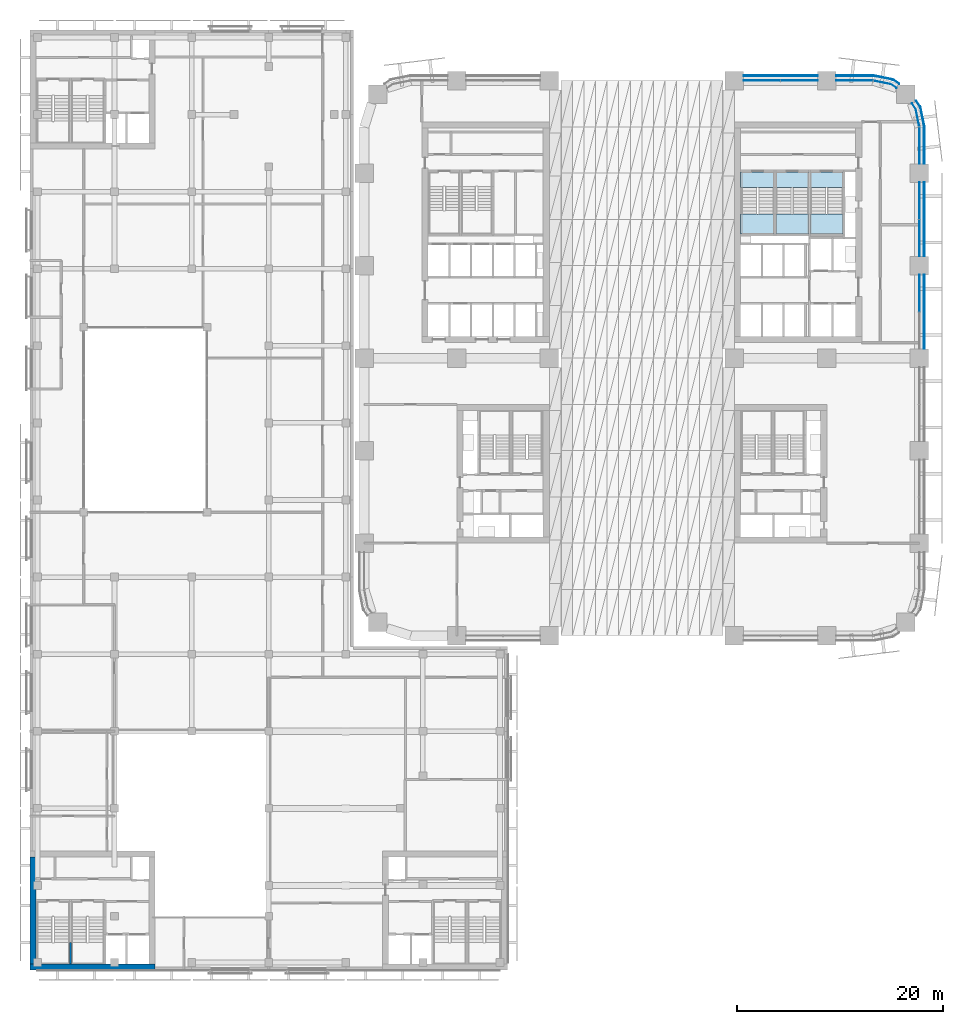
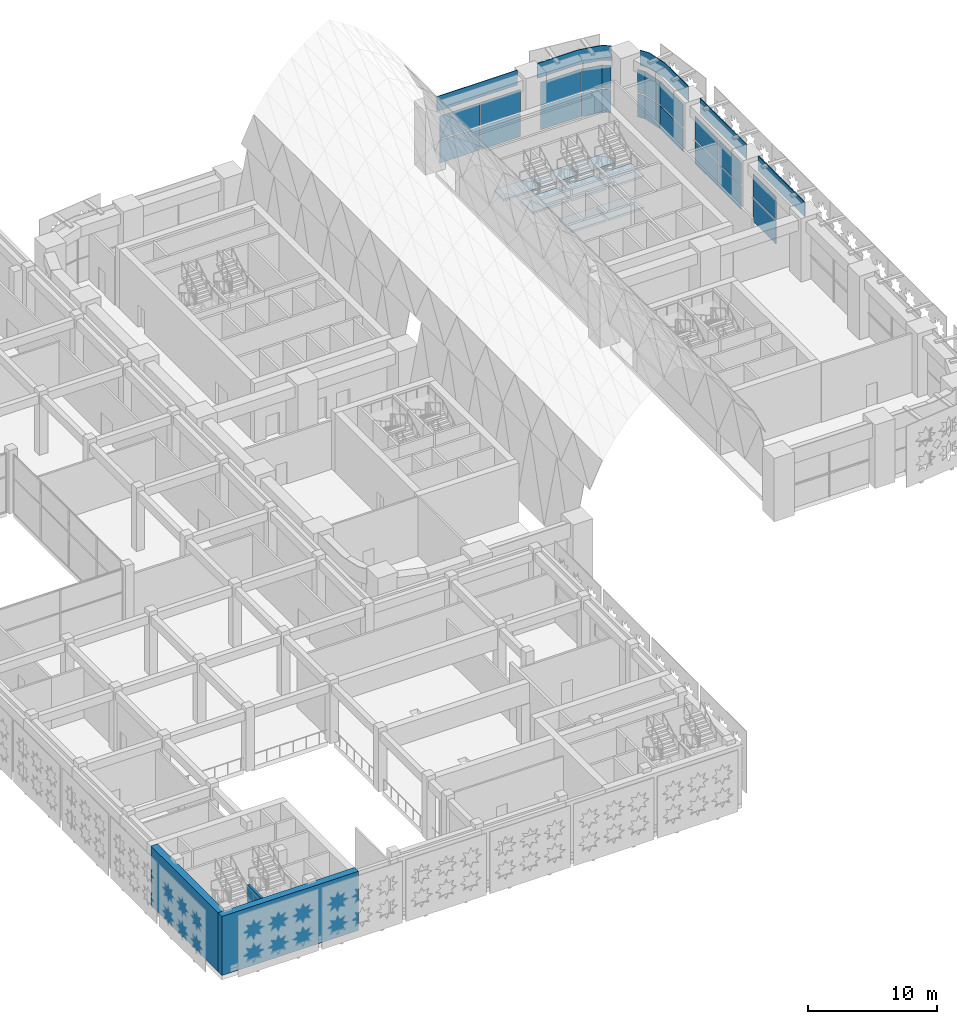
# One storey, part 13 of 46: 23 plates, 8 slabs, 3 walls, 8 elements without a shape of their own.
"""IFC4 building model written with IfcOpenShell, lengths in metres."""

import ifcopenshell
import ifcopenshell.guid

model = None  # the IFC model being written
_history = None  # IfcOwnerHistory: only IFC2X3 demands one
_inside = {}  # id of a spatial element -> (the spatial element, [elements in it])
_under = {}  # id of a project, library or spatial element -> (it, [spatial elements below it])
_declared = {}  # id of a project -> (the project, [libraries it declares])
_typed = {}  # id of a type object -> (the type object, [elements of that type])
_made_of = {}  # id of a material, layer set ... -> (it, [elements and type objects made of it])


def new_model(schema):
    """Start an empty IFC model of exactly this schema.

    Asked for "IFC4X3", IfcOpenShell would pick the latest addendum, in which some entities
    have other attributes; the version numbers below select the first issue.
    IFC2X3 requires an IfcOwnerHistory on every rooted entity: one is made here for all.
    """
    global model, _history
    if schema == "IFC4X3":
        model = ifcopenshell.file(schema_version=(4, 3, 0, 0))
    else:
        model = ifcopenshell.file(schema=schema)
    _inside.clear()
    _under.clear()
    _declared.clear()
    _typed.clear()
    _made_of.clear()
    _history = None
    if model.schema == "IFC2X3":
        org = make("IfcOrganization", Name="unknown")
        user = make(
            "IfcPersonAndOrganization",
            ThePerson=make("IfcPerson", FamilyName="unknown"),
            TheOrganization=org,
        )
        app = make(
            "IfcApplication",
            ApplicationDeveloper=org,
            Version="unknown",
            ApplicationFullName="unknown",
            ApplicationIdentifier="unknown",
        )
        _history = make(
            "IfcOwnerHistory",
            OwningUser=user,
            OwningApplication=app,
            ChangeAction="ADDED",
            CreationDate=0,
        )
    return model


def make(cls, **values):
    """One entity of the class cls with the attributes given. An attribute that is None is left unset."""
    return model.create_entity(
        cls, **{name: value for name, value in values.items() if value is not None}
    )


def rooted(cls, **values):
    """An entity with a GlobalId (a new one), such as an element, a storey or a relation."""
    return make(cls, GlobalId=ifcopenshell.guid.new(), OwnerHistory=_history, **values)


def si_unit(unit_type, name, prefix=None):
    """IfcSIUnit, for example si_unit("LENGTHUNIT", "METRE", prefix="MILLI")."""
    return make("IfcSIUnit", UnitType=unit_type, Prefix=prefix, Name=name)


def assignment(units):
    """IfcUnitAssignment: the units of a project."""
    return None if units is None else make("IfcUnitAssignment", Units=units)


def point(xyz):
    """IfcCartesianPoint."""
    return None if xyz is None else make("IfcCartesianPoint", Coordinates=xyz)


def direction(xyz):
    """IfcDirection."""
    return None if xyz is None else make("IfcDirection", DirectionRatios=xyz)


def frame(location, z_axis=None, x_axis=None):
    """IfcAxis2Placement3D, a coordinate frame: its origin and axes. An axis left out is left unset."""
    return make(
        "IfcAxis2Placement3D",
        Location=point(location),
        Axis=direction(z_axis),
        RefDirection=direction(x_axis),
    )


def frame_2d(location, x_axis=None):
    """IfcAxis2Placement2D, a coordinate frame in the plane: its origin and x axis."""
    return make(
        "IfcAxis2Placement2D", Location=point(location), RefDirection=direction(x_axis)
    )


def origin():
    """The frame at (0, 0, 0) with its axes left unset."""
    return frame((0.0, 0.0, 0.0))


def origin_2d():
    """The frame at (0, 0) in the plane with its x axis left unset."""
    return frame_2d((0.0, 0.0))


def place(relative_to, where):
    """IfcLocalPlacement: puts the frame where relative to a parent placement (None: the world)."""
    return make(
        "IfcLocalPlacement", PlacementRelTo=relative_to, RelativePlacement=where
    )


def context(
    kind, dimensions, precision=None, world=None, true_north=None, identifier=None
):
    """IfcGeometricRepresentationContext, for example the 3D "Model" context."""
    return make(
        "IfcGeometricRepresentationContext",
        ContextIdentifier=identifier,
        ContextType=kind,
        CoordinateSpaceDimension=dimensions,
        Precision=precision,
        WorldCoordinateSystem=world,
        TrueNorth=true_north,
    )


def subcontext(parent, identifier, kind, view, scale=None):
    """IfcGeometricRepresentationSubContext, for example "Body" below "Model"."""
    return make(
        "IfcGeometricRepresentationSubContext",
        ContextIdentifier=identifier,
        ContextType=kind,
        ParentContext=parent,
        TargetScale=scale,
        TargetView=view,
    )


def project(units=None, contexts=None):
    """IfcProject with its units and contexts."""
    return rooted(
        "IfcProject",
        Name="project",
        RepresentationContexts=contexts,
        UnitsInContext=assignment(units),
    )


def spatial(cls, under=None, at=None, **own):
    """A site, building, storey or space (cls), placed at a placement, below another one or the project."""
    s = rooted(cls, ObjectPlacement=at, **own)
    if under is not None:
        _under.setdefault(under.id(), (under, []))[1].append(s)
    return s


def polyline(points):
    """IfcPolyline through the points."""
    return make("IfcPolyline", Points=[point(p) for p in points])


def profile(cls, at=None, kind="AREA", **sizes):
    """A parametric profile (cls). Its sizes go by their IFC names, for example OverallWidth=200.0."""
    return make(cls, ProfileType=kind, Position=at, **sizes)


def rectangle(**sizes):
    """IfcRectangleProfileDef."""
    return profile("IfcRectangleProfileDef", **sizes)


def outline(outer, holes=None, kind="AREA"):
    """IfcArbitraryClosedProfileDef: a profile drawn as a closed curve; with holes, ...WithVoids."""
    if holes is None:
        return make("IfcArbitraryClosedProfileDef", ProfileType=kind, OuterCurve=outer)
    return make(
        "IfcArbitraryProfileDefWithVoids",
        ProfileType=kind,
        OuterCurve=outer,
        InnerCurves=holes,
    )


def extrude(swept, where, along, depth):
    """IfcExtrudedAreaSolid: the profile swept, set in the frame where, extruded along a direction by depth."""
    return make(
        "IfcExtrudedAreaSolid",
        SweptArea=swept,
        Position=where,
        ExtrudedDirection=direction(along),
        Depth=depth,
    )


def shape(context_of_items, identifier, shape_type, items):
    """IfcShapeRepresentation: the items that make up one representation, for example the "Body"."""
    return make(
        "IfcShapeRepresentation",
        ContextOfItems=context_of_items,
        RepresentationIdentifier=identifier,
        RepresentationType=shape_type,
        Items=items,
    )


def material(Name=None, Category=None):
    """IfcMaterial."""
    return make("IfcMaterial", Name=Name, Category=Category)


def layer(
    of_material, thickness, ventilated=None, Name=None, Category=None, Priority=None
):
    """IfcMaterialLayer: one layer of a wall or slab, of a material (None: an air gap)."""
    return make(
        "IfcMaterialLayer",
        Material=of_material,
        LayerThickness=thickness,
        IsVentilated=ventilated,
        Name=Name,
        Category=Category,
        Priority=Priority,
    )


def layer_set(layers, Name=None):
    """IfcMaterialLayerSet."""
    return make("IfcMaterialLayerSet", MaterialLayers=layers, LayerSetName=Name)


def made_of(thing, what):
    """Note that an element or type object is made of a material, layer set ...; save() writes the relation."""
    if what is not None:
        _made_of.setdefault(what.id(), (what, []))[1].append(thing)
    return thing


def type_object(cls, material=None, **own):
    """A type object (cls), such as IfcWallType, which elements share."""
    return made_of(rooted(cls, **own), material)


def element(
    cls,
    number,
    at=None,
    inside=None,
    cuts=None,
    type_object=None,
    material=None,
    context=None,
    identifier="Body",
    shape_type=None,
    held_by="IfcProductDefinitionShape",
    body=None,
    shapes=None,
    **own,
):
    """One element of the class cls, such as IfcWall. Its Tag is "e" and its number.

    at: its placement. inside: the storey or other place that contains it. cuts: it is an
    opening in that element (IfcRelVoidsElement). A single representation is given by context,
    identifier, shape_type and body (its items); several are given by shapes. held_by: the class
    of the entity that holds the representations. save() writes the other relations.
    """
    e = rooted(cls, Tag="e%d" % number, ObjectPlacement=at, **own)
    if body is not None:
        shapes = [shape(context, identifier, shape_type, body)]
    if shapes is not None:
        e.Representation = make(held_by, Representations=shapes)
    if inside is not None:
        _inside.setdefault(inside.id(), (inside, []))[1].append(e)
    if cuts is not None:
        rooted(
            "IfcRelVoidsElement", RelatingBuildingElement=cuts, RelatedOpeningElement=e
        )
    if type_object is not None:
        _typed.setdefault(type_object.id(), (type_object, []))[1].append(e)
    return made_of(e, material)


def aggregate(whole, parts):
    """IfcRelAggregates: a whole, such as a stair, and the parts it consists of."""
    return rooted("IfcRelAggregates", RelatingObject=whole, RelatedObjects=parts)


def save(model, path):
    """Write the relations noted so far, then the file.

    IfcRelAggregates (storeys below a building ...), IfcRelContainedInSpatialStructure (elements
    in a storey), IfcRelDefinesByType, IfcRelAssociatesMaterial and IfcRelDeclares: one each for
    every whole, place, type object, material and project.
    """
    for whole, parts in _under.values():
        aggregate(whole, parts)
    for where, things in _inside.values():
        rooted(
            "IfcRelContainedInSpatialStructure",
            RelatedElements=things,
            RelatingStructure=where,
        )
    for kind, things in _typed.values():
        rooted("IfcRelDefinesByType", RelatedObjects=things, RelatingType=kind)
    for what, things in _made_of.values():
        rooted("IfcRelAssociatesMaterial", RelatedObjects=things, RelatingMaterial=what)
    for by, libraries in _declared.values():
        rooted("IfcRelDeclares", RelatingContext=by, RelatedDefinitions=libraries)
    model.write(path)


model = new_model("IFC4")

# Units and contexts
model_context = context("Model", 3, precision=1e-05, world=origin(), true_north=direction((0.0, 1.0)))
body_context = subcontext(model_context, "Body", "Model", "MODEL_VIEW")
ifc_project = project(units=[si_unit("LENGTHUNIT", "METRE"), si_unit("AREAUNIT", "SQUARE_METRE"), si_unit("VOLUMEUNIT", "CUBIC_METRE"), si_unit("PLANEANGLEUNIT", "RADIAN"), si_unit("MASSUNIT", "GRAM", prefix="KILO")], contexts=[model_context])

# Site, building, storey
site_placement = place(None, origin())
site = spatial("IfcSite", under=ifc_project, at=site_placement, CompositionType="ELEMENT")
building_placement = place(site_placement, origin())
building = spatial("IfcBuilding", under=site, at=building_placement, Name="Tessera Arch", CompositionType="ELEMENT")
storey_placement = place(building_placement, frame((0.0, 0.0, 8.0)))
storey = spatial("IfcBuildingStorey", under=building, at=storey_placement, Name="L01", CompositionType="ELEMENT", Elevation=8.0)

# Curtain wall, plates
ifc_material_1 = material(Name="CW2 curtain wall")
curtain_wall_type_1 = type_object("IfcCurtainWallType", Name="CW2 curtain wall", PredefinedType="NOTDEFINED", material=ifc_material_1)
curtain_wall_1_placement = place(storey_placement, origin())
curtain_wall_1 = element("IfcCurtainWall", 1, at=curtain_wall_1_placement, inside=storey, type_object=curtain_wall_type_1, Name="CW2 curtain wall E54.0/4 L01", PredefinedType="NOTDEFINED")
ifc_material_2 = material(Name="Clear low-e glass", Category="glass")
ifc_layer_1 = layer(ifc_material_2, 0.028076171875)
ifc_layer_set_1 = layer_set([ifc_layer_1], Name="CW2 glass panel")
plate_type_1 = type_object("IfcPlateType", Name="CW2 glass panel", PredefinedType="CURTAIN_PANEL", material=ifc_layer_set_1)
plate_1_placement = place(storey_placement, frame((54.0, 47.679931640625, 0.0), z_axis=(0.0, 0.0, 1.0), x_axis=(0.0, 1.0, 0.0)))
plate_1 = element("IfcPlate", 2, at=plate_1_placement, type_object=plate_type_1, Name="CW2 glass panel E54.0/4 1.1", PredefinedType="CURTAIN_PANEL", context=body_context, shape_type="SweptSolid", body=[
    extrude(rectangle(XDim=3.56005859375, YDim=0.028076171875, at=origin_2d()), origin(), (0.0, 0.0, 1.0), 2.195068359375),
])
plate_2_placement = place(storey_placement, origin())
plate_2 = element("IfcPlate", 3, at=plate_2_placement, type_object=plate_type_1, Name="CW2 curved glass panel E54.0/4 2.1", PredefinedType="CURTAIN_PANEL", context=body_context, shape_type="SweptSolid", body=[
    extrude(outline(polyline([(53.644287109375, 51.216552734375), (53.978515625, 49.53662109375), (54.005859375, 49.5419921875), (53.670654296875, 51.2275390625), (53.294921875, 51.789794921875), (53.271728515625, 51.774169921875), (53.644287109375, 51.216552734375)])), origin(), (0.0, 0.0, 1.0), 2.195068359375),
])
plate_3_placement = place(storey_placement, frame((54.0, 47.679931640625, 2.294921875), z_axis=(0.0, 0.0, 1.0), x_axis=(0.0, 1.0, 0.0)))
plate_3 = element("IfcPlate", 4, at=plate_3_placement, type_object=plate_type_1, Name="CW2 glass panel E54.0/4 1.2", PredefinedType="CURTAIN_PANEL", context=body_context, shape_type="SweptSolid", body=[
    extrude(rectangle(XDim=3.56005859375, YDim=0.028076171875, at=origin_2d()), origin(), (0.0, 0.0, 1.0), 2.195068359375),
])
plate_4_placement = place(storey_placement, frame((0.0, 0.0, 2.294921875)))
plate_4 = element("IfcPlate", 5, at=plate_4_placement, type_object=plate_type_1, Name="CW2 curved glass panel E54.0/4 2.2", PredefinedType="CURTAIN_PANEL", context=body_context, shape_type="SweptSolid", body=[
    extrude(outline(polyline([(53.644287109375, 51.216552734375), (53.978515625, 49.53662109375), (54.005859375, 49.5419921875), (53.670654296875, 51.2275390625), (53.294921875, 51.789794921875), (53.271728515625, 51.774169921875), (53.644287109375, 51.216552734375)])), origin(), (0.0, 0.0, 1.0), 2.195068359375),
])

curtain_wall_2_placement = place(storey_placement, origin())
curtain_wall_2 = element("IfcCurtainWall", 6, at=curtain_wall_2_placement, inside=storey, type_object=curtain_wall_type_1, Name="CW2 curtain wall N54.36/0 L01", PredefinedType="NOTDEFINED")
plate_5_placement = place(storey_placement, frame((47.679931640625, 54.0, 0.0), z_axis=(0.0, 0.0, 1.0), x_axis=(-1.0, 0.0, 0.0)))
plate_5 = element("IfcPlate", 7, at=plate_5_placement, type_object=plate_type_1, Name="CW2 glass panel N54.36/0 1.1", PredefinedType="CURTAIN_PANEL", context=body_context, shape_type="SweptSolid", body=[
    extrude(rectangle(XDim=3.56005859375, YDim=0.028076171875, at=origin_2d()), origin(), (0.0, 0.0, 1.0), 2.195068359375),
])
plate_6_placement = place(storey_placement, origin())
plate_6 = element("IfcPlate", 8, at=plate_6_placement, type_object=plate_type_1, Name="CW2 curved glass panel N54.36/0 2.1", PredefinedType="CURTAIN_PANEL", context=body_context, shape_type="SweptSolid", body=[
    extrude(outline(polyline([(51.216552734375, 53.644287109375), (51.774169921875, 53.271728515625), (51.789794921875, 53.294921875), (51.2275390625, 53.670654296875), (49.5419921875, 54.005859375), (49.53662109375, 53.978515625), (51.216552734375, 53.644287109375)])), origin(), (0.0, 0.0, 1.0), 2.195068359375),
])
plate_7_placement = place(storey_placement, frame((47.679931640625, 54.0, 2.294921875), z_axis=(0.0, 0.0, 1.0), x_axis=(-1.0, 0.0, 0.0)))
plate_7 = element("IfcPlate", 9, at=plate_7_placement, type_object=plate_type_1, Name="CW2 glass panel N54.36/0 1.2", PredefinedType="CURTAIN_PANEL", context=body_context, shape_type="SweptSolid", body=[
    extrude(rectangle(XDim=3.56005859375, YDim=0.028076171875, at=origin_2d()), origin(), (0.0, 0.0, 1.0), 2.195068359375),
])
plate_8_placement = place(storey_placement, frame((0.0, 0.0, 2.294921875)))
plate_8 = element("IfcPlate", 10, at=plate_8_placement, type_object=plate_type_1, Name="CW2 curved glass panel N54.36/0 2.2", PredefinedType="CURTAIN_PANEL", context=body_context, shape_type="SweptSolid", body=[
    extrude(outline(polyline([(51.216552734375, 53.644287109375), (51.774169921875, 53.271728515625), (51.789794921875, 53.294921875), (51.2275390625, 53.670654296875), (49.5419921875, 54.005859375), (49.53662109375, 53.978515625), (51.216552734375, 53.644287109375)])), origin(), (0.0, 0.0, 1.0), 2.195068359375),
])

# Plate
ifc_material_3 = material(Name="Pale anodised aluminium panel", Category="aluminium")
ifc_layer_2 = layer(ifc_material_3, 0.06005859375)
ifc_layer_set_2 = layer_set([ifc_layer_2], Name="CW2 spandrel panel")
plate_type_2 = type_object("IfcPlateType", Name="CW2 spandrel panel", PredefinedType="CURTAIN_PANEL", material=ifc_layer_set_2)
plate_9_placement = place(storey_placement, frame((0.0, 0.0, 4.590087890625)))
plate_9 = element("IfcPlate", 11, at=plate_9_placement, type_object=plate_type_2, Name="CW2 spandrel panel E54.0/4", PredefinedType="CURTAIN_PANEL", context=body_context, shape_type="SweptSolid", body=[
    extrude(outline(polyline([(54.449951171875, 49.499267578125), (54.449951171875, 45.89990234375), (54.510009765625, 45.89990234375), (54.510009765625, 49.500732421875), (54.507568359375, 49.550048828125), (54.500244140625, 49.598876953125), (54.157470703125, 51.322265625), (54.1455078125, 51.3701171875), (54.128662109375, 51.417236328125), (54.107177734375, 51.462646484375), (54.08203125, 51.5048828125), (53.707275390625, 52.0654296875), (53.657470703125, 52.031982421875), (54.03125, 51.47265625), (54.05419921875, 51.434326171875), (54.0732421875, 51.394287109375), (54.088134765625, 51.352783203125), (54.09912109375, 51.30908203125), (54.441162109375, 49.588623046875), (54.44775390625, 49.544189453125), (54.449951171875, 49.499267578125)])), origin(), (0.0, 0.0, 1.0), 1.409912109375),
])

aggregate(curtain_wall_1, [plate_1, plate_2, plate_3, plate_4, plate_9])

plate_10_placement = place(storey_placement, frame((0.0, 0.0, 4.590087890625)))
plate_10 = element("IfcPlate", 12, at=plate_10_placement, type_object=plate_type_2, Name="CW2 spandrel panel N54.36/0", PredefinedType="CURTAIN_PANEL", context=body_context, shape_type="SweptSolid", body=[
    extrude(outline(polyline([(51.47265625, 54.03125), (52.031982421875, 53.657470703125), (52.0654296875, 53.707275390625), (51.5048828125, 54.08203125), (51.462646484375, 54.107177734375), (51.417236328125, 54.128662109375), (51.3701171875, 54.1455078125), (51.322265625, 54.157470703125), (49.598876953125, 54.500244140625), (49.550048828125, 54.507568359375), (49.500732421875, 54.510009765625), (45.89990234375, 54.510009765625), (45.89990234375, 54.449951171875), (49.499267578125, 54.449951171875), (49.544189453125, 54.44775390625), (49.588623046875, 54.441162109375), (51.30908203125, 54.09912109375), (51.352783203125, 54.088134765625), (51.394287109375, 54.0732421875), (51.434326171875, 54.05419921875), (51.47265625, 54.03125)])), origin(), (0.0, 0.0, 1.0), 1.409912109375),
])

aggregate(curtain_wall_2, [plate_5, plate_6, plate_7, plate_8, plate_10])

# Curtain wall, plates
ifc_material_4 = material(Name="CW6 curtain wall")
curtain_wall_type_2 = type_object("IfcCurtainWallType", Name="CW6 curtain wall", PredefinedType="NOTDEFINED", material=ifc_material_4)
curtain_wall_3_placement = place(storey_placement, origin())
curtain_wall_3 = element("IfcCurtainWall", 13, at=curtain_wall_3_placement, inside=storey, type_object=curtain_wall_type_2, Name="CW6 curtain wall E54.0/2 L01", PredefinedType="NOTDEFINED")
ifc_material_5 = material(Name="Clear low-e glass", Category="glass")
ifc_layer_3 = layer(ifc_material_5, 0.028076171875)
ifc_layer_set_3 = layer_set([ifc_layer_3], Name="CW6 glass panel")
plate_type_3 = type_object("IfcPlateType", Name="CW6 glass panel", PredefinedType="CURTAIN_PANEL", material=ifc_layer_set_3)
plate_11_placement = place(storey_placement, frame((54.0, 33.3173828125, 0.0), z_axis=(0.0, 0.0, 1.0), x_axis=(0.0, 1.0, 0.0)))
plate_11 = element("IfcPlate", 14, at=plate_11_placement, type_object=plate_type_3, Name="CW6 glass panel E54.0/2 1.2.1", PredefinedType="CURTAIN_PANEL", context=body_context, shape_type="SweptSolid", body=[
    extrude(rectangle(XDim=3.56494140625, YDim=0.028076171875, at=origin_2d()), origin(), (0.0, 0.0, 1.0), 2.175048828125),
])
plate_12_placement = place(storey_placement, frame((54.0, 33.3173828125, 2.294921875), z_axis=(0.0, 0.0, 1.0), x_axis=(0.0, 1.0, 0.0)))
plate_12 = element("IfcPlate", 15, at=plate_12_placement, type_object=plate_type_3, Name="CW6 glass panel E54.0/2 1.2.2", PredefinedType="CURTAIN_PANEL", context=body_context, shape_type="SweptSolid", body=[
    extrude(rectangle(XDim=3.56494140625, YDim=0.028076171875, at=origin_2d()), origin(), (0.0, 0.0, 1.0), 2.175048828125),
])

curtain_wall_4_placement = place(storey_placement, origin())
curtain_wall_4 = element("IfcCurtainWall", 16, at=curtain_wall_4_placement, inside=storey, type_object=curtain_wall_type_2, Name="CW6 curtain wall E54.0/3 L01", PredefinedType="NOTDEFINED")
plate_13_placement = place(storey_placement, frame((54.0, 38.6826171875, 0.0), z_axis=(0.0, 0.0, 1.0), x_axis=(0.0, 1.0, 0.0)))
plate_13 = element("IfcPlate", 17, at=plate_13_placement, type_object=plate_type_3, Name="CW6 glass panel E54.0/3 1.1.1", PredefinedType="CURTAIN_PANEL", context=body_context, shape_type="SweptSolid", body=[
    extrude(rectangle(XDim=3.56494140625, YDim=0.028076171875, at=origin_2d()), origin(), (0.0, 0.0, 1.0), 2.175048828125),
])
plate_14_placement = place(storey_placement, frame((54.0, 38.6826171875, 2.294921875), z_axis=(0.0, 0.0, 1.0), x_axis=(0.0, 1.0, 0.0)))
plate_14 = element("IfcPlate", 18, at=plate_14_placement, type_object=plate_type_3, Name="CW6 glass panel E54.0/3 1.1.2", PredefinedType="CURTAIN_PANEL", context=body_context, shape_type="SweptSolid", body=[
    extrude(rectangle(XDim=3.56494140625, YDim=0.028076171875, at=origin_2d()), origin(), (0.0, 0.0, 1.0), 2.175048828125),
])
plate_15_placement = place(storey_placement, frame((54.0, 42.3173828125, 0.0), z_axis=(0.0, 0.0, 1.0), x_axis=(0.0, 1.0, 0.0)))
plate_15 = element("IfcPlate", 19, at=plate_15_placement, type_object=plate_type_3, Name="CW6 glass panel E54.0/3 1.2.1", PredefinedType="CURTAIN_PANEL", context=body_context, shape_type="SweptSolid", body=[
    extrude(rectangle(XDim=3.56494140625, YDim=0.028076171875, at=origin_2d()), origin(), (0.0, 0.0, 1.0), 2.175048828125),
])
plate_16_placement = place(storey_placement, frame((54.0, 42.3173828125, 2.294921875), z_axis=(0.0, 0.0, 1.0), x_axis=(0.0, 1.0, 0.0)))
plate_16 = element("IfcPlate", 20, at=plate_16_placement, type_object=plate_type_3, Name="CW6 glass panel E54.0/3 1.2.2", PredefinedType="CURTAIN_PANEL", context=body_context, shape_type="SweptSolid", body=[
    extrude(rectangle(XDim=3.56494140625, YDim=0.028076171875, at=origin_2d()), origin(), (0.0, 0.0, 1.0), 2.175048828125),
])

curtain_wall_5_placement = place(storey_placement, origin())
curtain_wall_5 = element("IfcCurtainWall", 21, at=curtain_wall_5_placement, inside=storey, type_object=curtain_wall_type_2, Name="CW6 curtain wall N54.36/1 L01", PredefinedType="NOTDEFINED")
plate_17_placement = place(storey_placement, frame((42.3173828125, 54.0, 0.0), z_axis=(0.0, 0.0, 1.0), x_axis=(-1.0, 0.0, 0.0)))
plate_17 = element("IfcPlate", 22, at=plate_17_placement, type_object=plate_type_3, Name="CW6 glass panel N54.36/1 1.1.1", PredefinedType="CURTAIN_PANEL", context=body_context, shape_type="SweptSolid", body=[
    extrude(rectangle(XDim=3.56494140625, YDim=0.028076171875, at=origin_2d()), origin(), (0.0, 0.0, 1.0), 2.175048828125),
])
plate_18_placement = place(storey_placement, frame((42.3173828125, 54.0, 2.294921875), z_axis=(0.0, 0.0, 1.0), x_axis=(-1.0, 0.0, 0.0)))
plate_18 = element("IfcPlate", 23, at=plate_18_placement, type_object=plate_type_3, Name="CW6 glass panel N54.36/1 1.1.2", PredefinedType="CURTAIN_PANEL", context=body_context, shape_type="SweptSolid", body=[
    extrude(rectangle(XDim=3.56494140625, YDim=0.028076171875, at=origin_2d()), origin(), (0.0, 0.0, 1.0), 2.175048828125),
])
plate_19_placement = place(storey_placement, frame((38.6826171875, 54.0, 0.0), z_axis=(0.0, 0.0, 1.0), x_axis=(-1.0, 0.0, 0.0)))
plate_19 = element("IfcPlate", 24, at=plate_19_placement, type_object=plate_type_3, Name="CW6 glass panel N54.36/1 1.2.1", PredefinedType="CURTAIN_PANEL", context=body_context, shape_type="SweptSolid", body=[
    extrude(rectangle(XDim=3.56494140625, YDim=0.028076171875, at=origin_2d()), origin(), (0.0, 0.0, 1.0), 2.175048828125),
])
plate_20_placement = place(storey_placement, frame((38.6826171875, 54.0, 2.294921875), z_axis=(0.0, 0.0, 1.0), x_axis=(-1.0, 0.0, 0.0)))
plate_20 = element("IfcPlate", 25, at=plate_20_placement, type_object=plate_type_3, Name="CW6 glass panel N54.36/1 1.2.2", PredefinedType="CURTAIN_PANEL", context=body_context, shape_type="SweptSolid", body=[
    extrude(rectangle(XDim=3.56494140625, YDim=0.028076171875, at=origin_2d()), origin(), (0.0, 0.0, 1.0), 2.175048828125),
])

# Plate
ifc_material_6 = material(Name="Pale anodised aluminium panel", Category="aluminium")
ifc_layer_4 = layer(ifc_material_6, 0.06005859375)
ifc_layer_set_4 = layer_set([ifc_layer_4], Name="CW6 spandrel panel")
plate_type_4 = type_object("IfcPlateType", Name="CW6 spandrel panel", PredefinedType="CURTAIN_PANEL", material=ifc_layer_set_4)
plate_21_placement = place(storey_placement, frame((54.47998046875, 31.5, 4.58984375), z_axis=(0.0, 0.0, 1.0), x_axis=(0.0, 1.0, 0.0)))
plate_21 = element("IfcPlate", 26, at=plate_21_placement, type_object=plate_type_4, Name="CW6 spandrel panel E54.0/2", PredefinedType="CURTAIN_PANEL", context=body_context, shape_type="SweptSolid", body=[
    extrude(rectangle(XDim=7.199951171875, YDim=0.06005859375, at=origin_2d()), origin(), (0.0, 0.0, 1.0), 1.409912109375),
])

aggregate(curtain_wall_3, [plate_11, plate_12, plate_21])

plate_22_placement = place(storey_placement, frame((54.47998046875, 40.5, 4.58984375), z_axis=(0.0, 0.0, 1.0), x_axis=(0.0, 1.0, 0.0)))
plate_22 = element("IfcPlate", 27, at=plate_22_placement, type_object=plate_type_4, Name="CW6 spandrel panel E54.0/3", PredefinedType="CURTAIN_PANEL", context=body_context, shape_type="SweptSolid", body=[
    extrude(rectangle(XDim=7.199951171875, YDim=0.06005859375, at=origin_2d()), origin(), (0.0, 0.0, 1.0), 1.409912109375),
])

aggregate(curtain_wall_4, [plate_13, plate_14, plate_15, plate_16, plate_22])

plate_23_placement = place(storey_placement, frame((40.5, 54.47998046875, 4.58984375), z_axis=(0.0, 0.0, 1.0), x_axis=(-1.0, 0.0, 0.0)))
plate_23 = element("IfcPlate", 28, at=plate_23_placement, type_object=plate_type_4, Name="CW6 spandrel panel N54.36/1", PredefinedType="CURTAIN_PANEL", context=body_context, shape_type="SweptSolid", body=[
    extrude(rectangle(XDim=7.199951171875, YDim=0.06005859375, at=origin_2d()), origin(), (0.0, 0.0, 1.0), 1.409912109375),
])

aggregate(curtain_wall_5, [plate_17, plate_18, plate_19, plate_20, plate_23])

# Stair, slabs
ifc_material_7 = material(Name="Concrete C40/50", Category="concrete")
stair_type = type_object("IfcStairType", Name="Dogleg stair 1520", PredefinedType="HALF_TURN_STAIR", material=ifc_material_7)
stair_1_placement = place(storey_placement, origin())
stair_1 = element("IfcStair", 29, at=stair_1_placement, inside=storey, type_object=stair_type, Name="L01 S1a", PredefinedType="HALF_TURN_STAIR")
ifc_material_8 = material(Name="Concrete C40/50", Category="concrete")
ifc_layer_5 = layer(ifc_material_8, 0.300048828125)
ifc_layer_set_5 = layer_set([ifc_layer_5], Name="Stair landing 300")
slab_type = type_object("IfcSlabType", Name="Stair landing 300", PredefinedType="LANDING", material=ifc_layer_set_5)
slab_1_placement = place(storey_placement, frame((0.0, 0.0, 2.800048828125)))
slab_1 = element("IfcSlab", 30, at=slab_1_placement, type_object=slab_type, Name="S1a landing 2", PredefinedType="LANDING", context=body_context, shape_type="SweptSolid", body=[
    extrude(outline(polyline([(36.60009765625, 45.10009765625), (36.60009765625, 43.580078125), (39.85009765625, 43.580078125), (39.85009765625, 45.10009765625), (36.60009765625, 45.10009765625)])), origin(), (0.0, 0.0, 1.0), 0.199951171875),
])
slab_2_placement = place(storey_placement, frame((0.0, 0.0, 4.300048828125)))
slab_2 = element("IfcSlab", 31, at=slab_2_placement, type_object=slab_type, Name="S1a landing 3", PredefinedType="LANDING", context=body_context, shape_type="SweptSolid", body=[
    extrude(outline(polyline([(36.60009765625, 41.02001953125), (36.60009765625, 39.10009765625), (39.85009765625, 39.10009765625), (39.85009765625, 41.02001953125), (36.60009765625, 41.02001953125)])), origin(), (0.0, 0.0, 1.0), 0.199951171875),
])
aggregate(stair_1, [slab_1, slab_2])

stair_2_placement = place(storey_placement, origin())
stair_2 = element("IfcStair", 32, at=stair_2_placement, inside=storey, type_object=stair_type, Name="L01 S1b", PredefinedType="HALF_TURN_STAIR")
slab_3_placement = place(storey_placement, frame((0.0, 0.0, 1.300048828125)))
slab_3 = element("IfcSlab", 33, at=slab_3_placement, type_object=slab_type, Name="S1b landing 1", PredefinedType="LANDING", context=body_context, shape_type="SweptSolid", body=[
    extrude(outline(polyline([(40.050048828125, 41.02001953125), (40.050048828125, 39.10009765625), (43.199951171875, 39.10009765625), (43.199951171875, 41.02001953125), (40.050048828125, 41.02001953125)])), origin(), (0.0, 0.0, 1.0), 0.199951171875),
])
slab_4_placement = place(storey_placement, frame((0.0, 0.0, 2.800048828125)))
slab_4 = element("IfcSlab", 34, at=slab_4_placement, type_object=slab_type, Name="S1b landing 2", PredefinedType="LANDING", context=body_context, shape_type="SweptSolid", body=[
    extrude(outline(polyline([(40.050048828125, 45.10009765625), (40.050048828125, 43.580078125), (43.199951171875, 43.580078125), (43.199951171875, 45.10009765625), (40.050048828125, 45.10009765625)])), origin(), (0.0, 0.0, 1.0), 0.199951171875),
])
slab_5_placement = place(storey_placement, frame((0.0, 0.0, 4.300048828125)))
slab_5 = element("IfcSlab", 35, at=slab_5_placement, type_object=slab_type, Name="S1b landing 3", PredefinedType="LANDING", context=body_context, shape_type="SweptSolid", body=[
    extrude(outline(polyline([(40.050048828125, 41.02001953125), (40.050048828125, 39.10009765625), (43.199951171875, 39.10009765625), (43.199951171875, 41.02001953125), (40.050048828125, 41.02001953125)])), origin(), (0.0, 0.0, 1.0), 0.199951171875),
])
aggregate(stair_2, [slab_3, slab_4, slab_5])

stair_3_placement = place(storey_placement, origin())
stair_3 = element("IfcStair", 36, at=stair_3_placement, inside=storey, type_object=stair_type, Name="L01 S1c", PredefinedType="HALF_TURN_STAIR")
slab_6_placement = place(storey_placement, frame((0.0, 0.0, 1.300048828125)))
slab_6 = element("IfcSlab", 37, at=slab_6_placement, type_object=slab_type, Name="S1c landing 1", PredefinedType="LANDING", context=body_context, shape_type="SweptSolid", body=[
    extrude(outline(polyline([(43.39990234375, 41.02001953125), (43.39990234375, 39.10009765625), (46.550048828125, 39.10009765625), (46.550048828125, 41.02001953125), (43.39990234375, 41.02001953125)])), origin(), (0.0, 0.0, 1.0), 0.199951171875),
])
slab_7_placement = place(storey_placement, frame((0.0, 0.0, 2.800048828125)))
slab_7 = element("IfcSlab", 38, at=slab_7_placement, type_object=slab_type, Name="S1c landing 2", PredefinedType="LANDING", context=body_context, shape_type="SweptSolid", body=[
    extrude(outline(polyline([(43.39990234375, 45.10009765625), (43.39990234375, 43.580078125), (46.550048828125, 43.580078125), (46.550048828125, 45.10009765625), (43.39990234375, 45.10009765625)])), origin(), (0.0, 0.0, 1.0), 0.199951171875),
])
slab_8_placement = place(storey_placement, frame((0.0, 0.0, 4.300048828125)))
slab_8 = element("IfcSlab", 39, at=slab_8_placement, type_object=slab_type, Name="S1c landing 3", PredefinedType="LANDING", context=body_context, shape_type="SweptSolid", body=[
    extrude(outline(polyline([(43.39990234375, 41.02001953125), (43.39990234375, 39.10009765625), (46.550048828125, 39.10009765625), (46.550048828125, 41.02001953125), (43.39990234375, 41.02001953125)])), origin(), (0.0, 0.0, 1.0), 0.199951171875),
])
aggregate(stair_3, [slab_6, slab_7, slab_8])

# Walls
ifc_material_9 = material(Name="Concrete C70/85", Category="concrete")
ifc_layer_6 = layer(ifc_material_9, 0.60009765625)
ifc_layer_set_6 = layer_set([ifc_layer_6], Name="Core shell wall 600 C70-85")
wall_type_1 = type_object("IfcWallType", Name="Core shell wall 600 C70-85", PredefinedType="SHEAR", material=ifc_layer_set_6)
wall_1_placement = place(storey_placement, frame((-32.550048828125, -32.25, 0.0), z_axis=(0.0, 0.0, 1.0), x_axis=(1.0, 0.0, 0.0)))
element("IfcWall", 40, at=wall_1_placement, inside=storey, type_object=wall_type_1, Name="L01 M2 core wall S", PredefinedType="SHEAR", context=body_context, shape_type="SweptSolid", body=[
    extrude(rectangle(XDim=12.199951171875, YDim=0.60009765625, at=frame_2d((6.10009765625, 0.0))), origin(), (0.0, 0.0, 1.0), 5.590087890625),
])
wall_2_placement = place(storey_placement, frame((-32.25, -31.949951171875, 0.0), z_axis=(0.0, 0.0, 1.0), x_axis=(0.0, 1.0, 0.0)))
element("IfcWall", 41, at=wall_2_placement, inside=storey, type_object=wall_type_1, Name="L01 M2 core wall W", PredefinedType="SHEAR", context=body_context, shape_type="SweptSolid", body=[
    extrude(rectangle(XDim=10.39990234375, YDim=0.60009765625, at=frame_2d((5.199951171875, 0.0))), origin(), (0.0, 0.0, 1.0), 5.590087890625),
])
ifc_material_10 = material(Name="Concrete C40/50", Category="concrete")
ifc_layer_7 = layer(ifc_material_10, 0.199951171875)
ifc_layer_set_7 = layer_set([ifc_layer_7], Name="Stair well wall 200 REI 180")
wall_type_2 = type_object("IfcWallType", Name="Stair well wall 200 REI 180", PredefinedType="SOLIDWALL", material=ifc_layer_set_7)
wall_3_placement = place(storey_placement, frame((-28.60009765625, -31.949951171875, 0.0), z_axis=(0.0, 0.0, 1.0), x_axis=(0.0, 1.0, 0.0)))
element("IfcWall", 42, at=wall_3_placement, inside=storey, type_object=wall_type_2, Name="L01 M2 shaft wall 2", PredefinedType="SOLIDWALL", context=body_context, shape_type="SweptSolid", body=[
    extrude(rectangle(XDim=2.119873046875, YDim=0.199951171875, at=frame_2d((1.06005859375, 0.0))), origin(), (0.0, 0.0, 1.0), 5.590087890625),
])

save(model, "model.ifc")
